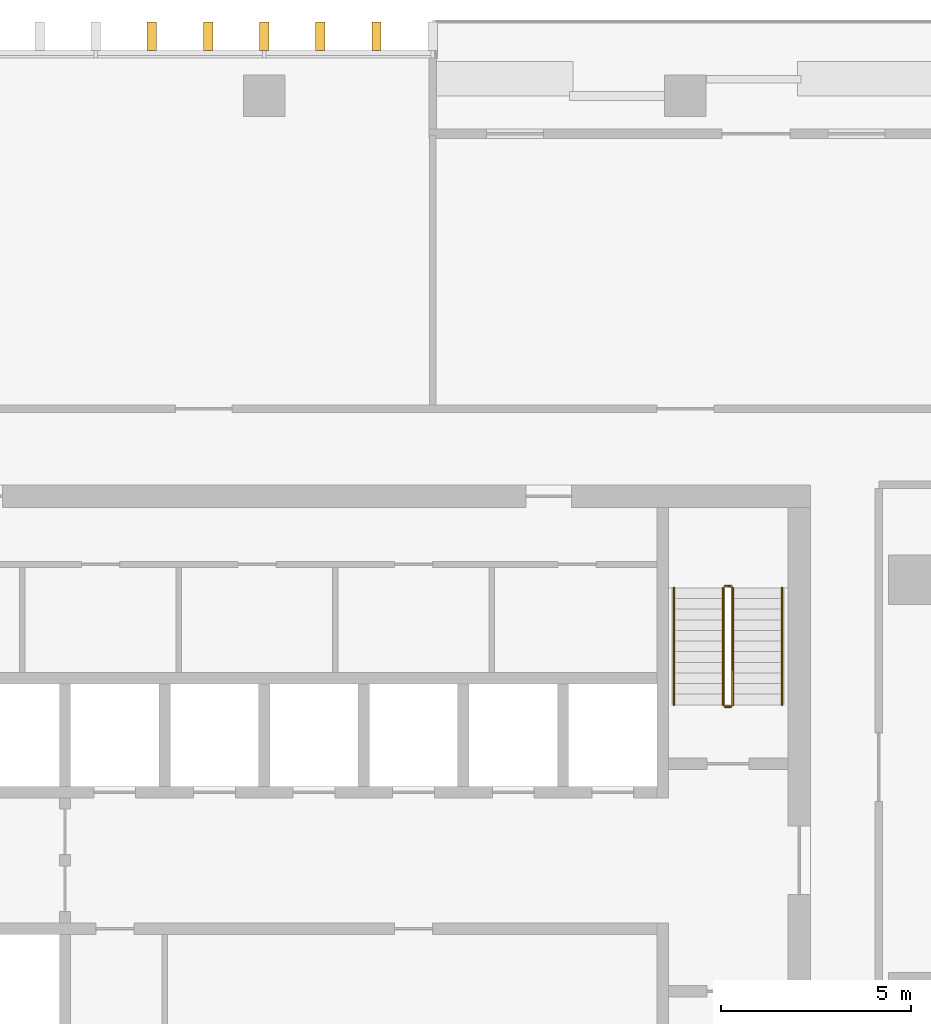
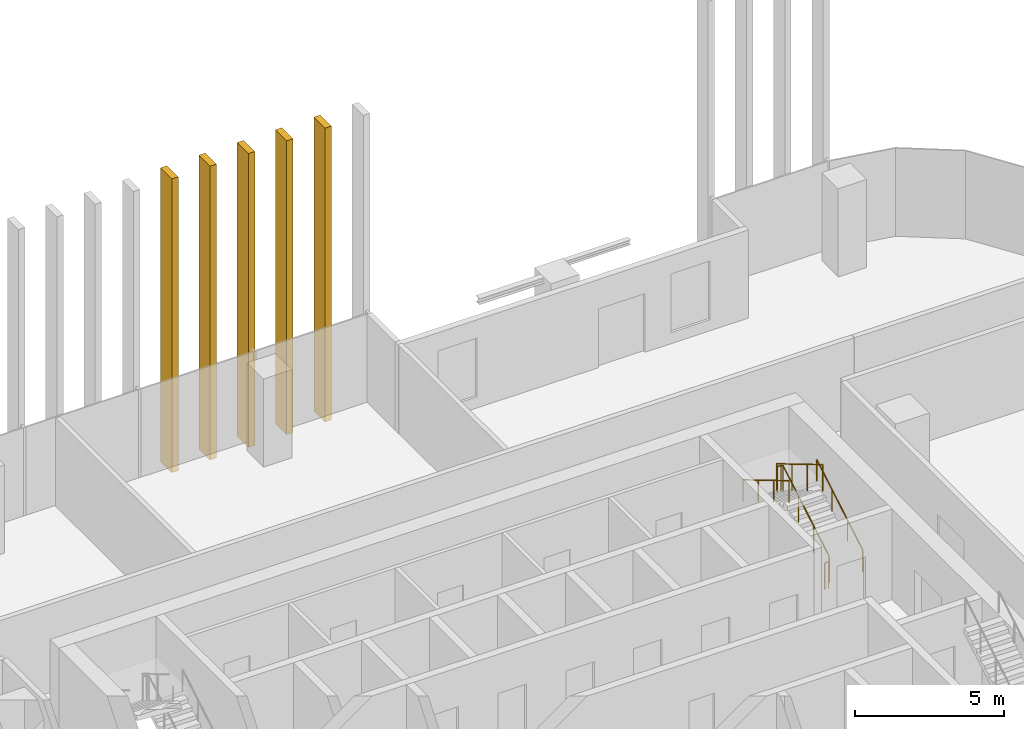
# One storey, part 15 of 16: 5 railings, 5 shading devices.
"""IFC4 building model written with IfcOpenShell, lengths in metres."""

import ifcopenshell
import ifcopenshell.guid

model = None  # the IFC model being written
_history = None  # IfcOwnerHistory: only IFC2X3 demands one
_inside = {}  # id of a spatial element -> (the spatial element, [elements in it])
_under = {}  # id of a project, library or spatial element -> (it, [spatial elements below it])
_declared = {}  # id of a project -> (the project, [libraries it declares])
_typed = {}  # id of a type object -> (the type object, [elements of that type])
_made_of = {}  # id of a material, layer set ... -> (it, [elements and type objects made of it])


def new_model(schema):
    """Start an empty IFC model of exactly this schema.

    Asked for "IFC4X3", IfcOpenShell would pick the latest addendum, in which some entities
    have other attributes; the version numbers below select the first issue.
    IFC2X3 requires an IfcOwnerHistory on every rooted entity: one is made here for all.
    """
    global model, _history
    if schema == "IFC4X3":
        model = ifcopenshell.file(schema_version=(4, 3, 0, 0))
    else:
        model = ifcopenshell.file(schema=schema)
    _inside.clear()
    _under.clear()
    _declared.clear()
    _typed.clear()
    _made_of.clear()
    _history = None
    if model.schema == "IFC2X3":
        org = make("IfcOrganization", Name="unknown")
        user = make(
            "IfcPersonAndOrganization",
            ThePerson=make("IfcPerson", FamilyName="unknown"),
            TheOrganization=org,
        )
        app = make(
            "IfcApplication",
            ApplicationDeveloper=org,
            Version="unknown",
            ApplicationFullName="unknown",
            ApplicationIdentifier="unknown",
        )
        _history = make(
            "IfcOwnerHistory",
            OwningUser=user,
            OwningApplication=app,
            ChangeAction="ADDED",
            CreationDate=0,
        )
    return model


def make(cls, **values):
    """One entity of the class cls with the attributes given. An attribute that is None is left unset."""
    return model.create_entity(
        cls, **{name: value for name, value in values.items() if value is not None}
    )


def rooted(cls, **values):
    """An entity with a GlobalId (a new one), such as an element, a storey or a relation."""
    return make(cls, GlobalId=ifcopenshell.guid.new(), OwnerHistory=_history, **values)


def si_unit(unit_type, name, prefix=None):
    """IfcSIUnit, for example si_unit("LENGTHUNIT", "METRE", prefix="MILLI")."""
    return make("IfcSIUnit", UnitType=unit_type, Prefix=prefix, Name=name)


def assignment(units):
    """IfcUnitAssignment: the units of a project."""
    return None if units is None else make("IfcUnitAssignment", Units=units)


def point(xyz):
    """IfcCartesianPoint."""
    return None if xyz is None else make("IfcCartesianPoint", Coordinates=xyz)


def direction(xyz):
    """IfcDirection."""
    return None if xyz is None else make("IfcDirection", DirectionRatios=xyz)


def frame(location, z_axis=None, x_axis=None):
    """IfcAxis2Placement3D, a coordinate frame: its origin and axes. An axis left out is left unset."""
    return make(
        "IfcAxis2Placement3D",
        Location=point(location),
        Axis=direction(z_axis),
        RefDirection=direction(x_axis),
    )


def frame_2d(location, x_axis=None):
    """IfcAxis2Placement2D, a coordinate frame in the plane: its origin and x axis."""
    return make(
        "IfcAxis2Placement2D", Location=point(location), RefDirection=direction(x_axis)
    )


def origin():
    """The frame at (0, 0, 0) with its axes left unset."""
    return frame((0.0, 0.0, 0.0))


def origin_2d():
    """The frame at (0, 0) in the plane with its x axis left unset."""
    return frame_2d((0.0, 0.0))


def place(relative_to, where):
    """IfcLocalPlacement: puts the frame where relative to a parent placement (None: the world)."""
    return make(
        "IfcLocalPlacement", PlacementRelTo=relative_to, RelativePlacement=where
    )


def context(
    kind, dimensions, precision=None, world=None, true_north=None, identifier=None
):
    """IfcGeometricRepresentationContext, for example the 3D "Model" context."""
    return make(
        "IfcGeometricRepresentationContext",
        ContextIdentifier=identifier,
        ContextType=kind,
        CoordinateSpaceDimension=dimensions,
        Precision=precision,
        WorldCoordinateSystem=world,
        TrueNorth=true_north,
    )


def subcontext(parent, identifier, kind, view, scale=None):
    """IfcGeometricRepresentationSubContext, for example "Body" below "Model"."""
    return make(
        "IfcGeometricRepresentationSubContext",
        ContextIdentifier=identifier,
        ContextType=kind,
        ParentContext=parent,
        TargetScale=scale,
        TargetView=view,
    )


def project(units=None, contexts=None):
    """IfcProject with its units and contexts."""
    return rooted(
        "IfcProject",
        Name="project",
        RepresentationContexts=contexts,
        UnitsInContext=assignment(units),
    )


def spatial(cls, under=None, at=None, **own):
    """A site, building, storey or space (cls), placed at a placement, below another one or the project."""
    s = rooted(cls, ObjectPlacement=at, **own)
    if under is not None:
        _under.setdefault(under.id(), (under, []))[1].append(s)
    return s


def profile(cls, at=None, kind="AREA", **sizes):
    """A parametric profile (cls). Its sizes go by their IFC names, for example OverallWidth=200.0."""
    return make(cls, ProfileType=kind, Position=at, **sizes)


def rectangle(**sizes):
    """IfcRectangleProfileDef."""
    return profile("IfcRectangleProfileDef", **sizes)


def circle(**sizes):
    """IfcCircleProfileDef."""
    return profile("IfcCircleProfileDef", **sizes)


def extrude(swept, where, along, depth):
    """IfcExtrudedAreaSolid: the profile swept, set in the frame where, extruded along a direction by depth."""
    return make(
        "IfcExtrudedAreaSolid",
        SweptArea=swept,
        Position=where,
        ExtrudedDirection=direction(along),
        Depth=depth,
    )


def shape(context_of_items, identifier, shape_type, items):
    """IfcShapeRepresentation: the items that make up one representation, for example the "Body"."""
    return make(
        "IfcShapeRepresentation",
        ContextOfItems=context_of_items,
        RepresentationIdentifier=identifier,
        RepresentationType=shape_type,
        Items=items,
    )


def material(Name=None, Category=None):
    """IfcMaterial."""
    return make("IfcMaterial", Name=Name, Category=Category)


def made_of(thing, what):
    """Note that an element or type object is made of a material, layer set ...; save() writes the relation."""
    if what is not None:
        _made_of.setdefault(what.id(), (what, []))[1].append(thing)
    return thing


def type_object(cls, material=None, **own):
    """A type object (cls), such as IfcWallType, which elements share."""
    return made_of(rooted(cls, **own), material)


def element(
    cls,
    number,
    at=None,
    inside=None,
    cuts=None,
    type_object=None,
    material=None,
    context=None,
    identifier="Body",
    shape_type=None,
    held_by="IfcProductDefinitionShape",
    body=None,
    shapes=None,
    **own,
):
    """One element of the class cls, such as IfcWall. Its Tag is "e" and its number.

    at: its placement. inside: the storey or other place that contains it. cuts: it is an
    opening in that element (IfcRelVoidsElement). A single representation is given by context,
    identifier, shape_type and body (its items); several are given by shapes. held_by: the class
    of the entity that holds the representations. save() writes the other relations.
    """
    e = rooted(cls, Tag="e%d" % number, ObjectPlacement=at, **own)
    if body is not None:
        shapes = [shape(context, identifier, shape_type, body)]
    if shapes is not None:
        e.Representation = make(held_by, Representations=shapes)
    if inside is not None:
        _inside.setdefault(inside.id(), (inside, []))[1].append(e)
    if cuts is not None:
        rooted(
            "IfcRelVoidsElement", RelatingBuildingElement=cuts, RelatedOpeningElement=e
        )
    if type_object is not None:
        _typed.setdefault(type_object.id(), (type_object, []))[1].append(e)
    return made_of(e, material)


def aggregate(whole, parts):
    """IfcRelAggregates: a whole, such as a stair, and the parts it consists of."""
    return rooted("IfcRelAggregates", RelatingObject=whole, RelatedObjects=parts)


def save(model, path):
    """Write the relations noted so far, then the file.

    IfcRelAggregates (storeys below a building ...), IfcRelContainedInSpatialStructure (elements
    in a storey), IfcRelDefinesByType, IfcRelAssociatesMaterial and IfcRelDeclares: one each for
    every whole, place, type object, material and project.
    """
    for whole, parts in _under.values():
        aggregate(whole, parts)
    for where, things in _inside.values():
        rooted(
            "IfcRelContainedInSpatialStructure",
            RelatedElements=things,
            RelatingStructure=where,
        )
    for kind, things in _typed.values():
        rooted("IfcRelDefinesByType", RelatedObjects=things, RelatingType=kind)
    for what, things in _made_of.values():
        rooted("IfcRelAssociatesMaterial", RelatedObjects=things, RelatingMaterial=what)
    for by, libraries in _declared.values():
        rooted("IfcRelDeclares", RelatingContext=by, RelatedDefinitions=libraries)
    model.write(path)


model = new_model("IFC4")

# Units and contexts
model_context = context("Model", 3, precision=1e-05, world=origin(), true_north=direction((0.0, 1.0)))
body_context = subcontext(model_context, "Body", "Model", "MODEL_VIEW")
ifc_project = project(units=[si_unit("LENGTHUNIT", "METRE"), si_unit("AREAUNIT", "SQUARE_METRE"), si_unit("VOLUMEUNIT", "CUBIC_METRE"), si_unit("PLANEANGLEUNIT", "RADIAN"), si_unit("MASSUNIT", "GRAM", prefix="KILO")], contexts=[model_context])

# Site, building, storey
site_placement = place(None, origin())
site = spatial("IfcSite", under=ifc_project, at=site_placement, CompositionType="ELEMENT")
building_placement = place(site_placement, origin())
building = spatial("IfcBuilding", under=site, at=building_placement, Name="Mopane Tessera Tower", CompositionType="ELEMENT")
storey_placement = place(building_placement, frame((0.0, 0.0, 235.0)))
storey = spatial("IfcBuildingStorey", under=building, at=storey_placement, Name="L50", CompositionType="ELEMENT", Elevation=235.0)

# Shading devices
ifc_material_1 = material(Name="Glazed ceramic tile")
shading_device_type = type_object("IfcShadingDeviceType", Name="Ceramic tile fin 750 x 250 mm", PredefinedType="USERDEFINED", material=ifc_material_1)
for number, where, z_axis, x_axis, name in (
    (1, (2.9599609375, 25.324951171875, -0.39990234375), (0.0, 0.0, 1.0), (-1.0, 0.0, 0.0), "e:fin:L50:N:4:1"),
    (2, (1.47998046875, 25.324951171875, -0.39990234375), (0.0, 0.0, 1.0), (-1.0, 0.0, 0.0), "e:fin:L50:N:4:2"),
    (3, (0.0, 25.324951171875, -0.39990234375), (0.0, 0.0, 1.0), (-1.0, 0.0, 0.0), "e:fin:L50:N:5:0"),
    (4, (-1.47998046875, 25.324951171875, -0.39990234375), (0.0, 0.0, 1.0), (-1.0, 0.0, 0.0), "e:fin:L50:N:5:1"),
    (5, (-2.9599609375, 25.324951171875, -0.39990234375), (0.0, 0.0, 1.0), (-1.0, 0.0, 0.0), "e:fin:L50:N:5:2"),
):
    element("IfcShadingDevice", number, at=place(storey_placement, frame(where, z_axis=z_axis, x_axis=x_axis)), inside=storey, type_object=shading_device_type, Name=name, ObjectType="FIN", PredefinedType="USERDEFINED", context=body_context, shape_type="SweptSolid", body=[
        extrude(rectangle(XDim=0.25, YDim=0.75, at=origin_2d()), origin(), (0.0, 0.0, 1.0), 12.0),
    ])

# Railings
ifc_material_2 = material(Name="Powder-coated steel balustrade", Category="steel")
railing_type_1 = type_object("IfcRailingType", Name="Escape stair guard 1100 mm", PredefinedType="GUARDRAIL", material=ifc_material_2)
railing_1_placement = place(storey_placement, frame((12.35009765625, 7.699951171875, 0.166748046875)))
element("IfcRailing", 6, at=railing_1_placement, inside=storey, type_object=railing_type_1, Name="L50 ST4 stair guard 1", PredefinedType="GUARDRAIL", context=body_context, shape_type="SweptSolid", body=[
    extrude(circle(Radius=0.02392578125, at=origin_2d()), frame((0.0, 0.0, 1.076171875), z_axis=(0.0, 0.859308565015, 0.511457515432), x_axis=(-1.0, 0.0, 0.0)), (0.0, 0.0, 1.0), 3.58447265625),
    extrude(circle(Radius=0.02392578125, at=origin_2d()), frame((0.0, 3.080078125, 2.9091796875), z_axis=(-0.707106781187, 0.707106781187, 0.0), x_axis=(-0.707106781187, -0.707106781187, 0.0)), (0.0, 0.0, 1.0), 0.07080078125),
    extrude(circle(Radius=0.02392578125, at=origin_2d()), frame((-0.050048828125, 3.130126953125, 2.9091796875), z_axis=(-1.0, 0.0, 0.0), x_axis=(0.0, -1.0, 0.0)), (0.0, 0.0, 1.0), 0.150146484375),
    extrude(circle(Radius=0.02099609375, at=origin_2d()), origin(), (0.0, 0.0, 1.0), 1.052001953125),
    extrude(circle(Radius=0.02099609375, at=origin_2d()), frame((0.0, 1.026611328125, 0.611083984375)), (0.0, 0.0, 1.0), 1.052001953125),
    extrude(circle(Radius=0.02099609375, at=origin_2d()), frame((0.0, 2.053466796875, 1.22216796875)), (0.0, 0.0, 1.0), 1.052001953125),
    extrude(circle(Radius=0.02099609375, at=origin_2d()), frame((0.0, 3.080078125, 1.833251953125)), (0.0, 0.0, 1.0), 1.052001953125),
    extrude(circle(Radius=0.02099609375, at=origin_2d()), frame((-0.050048828125, 3.130126953125, 1.833251953125)), (0.0, 0.0, 1.0), 1.052001953125),
    extrude(circle(Radius=0.02099609375, at=origin_2d()), frame((-0.2001953125, 3.130126953125, 1.833251953125)), (0.0, 0.0, 1.0), 1.052001953125),
])
railing_2_placement = place(storey_placement, frame((12.10009765625, 10.780029296875, 2.166748046875)))
element("IfcRailing", 7, at=railing_2_placement, inside=storey, type_object=railing_type_1, Name="L50 ST4 stair guard 2", PredefinedType="GUARDRAIL", context=body_context, shape_type="SweptSolid", body=[
    extrude(circle(Radius=0.02392578125, at=origin_2d()), frame((0.0, 0.0, 1.076171875), z_axis=(0.0, -0.859308565015, 0.511457515432), x_axis=(1.0, 0.0, 0.0)), (0.0, 0.0, 1.0), 3.58447265625),
    extrude(circle(Radius=0.02099609375, at=origin_2d()), origin(), (0.0, 0.0, 1.0), 1.052001953125),
    extrude(circle(Radius=0.02099609375, at=origin_2d()), frame((0.0, -1.026611328125, 0.611083984375)), (0.0, 0.0, 1.0), 1.052001953125),
    extrude(circle(Radius=0.02099609375, at=origin_2d()), frame((0.0, -2.053466796875, 1.22216796875)), (0.0, 0.0, 1.0), 1.052001953125),
    extrude(circle(Radius=0.02099609375, at=origin_2d()), frame((0.0, -3.080078125, 1.833251953125)), (0.0, 0.0, 1.0), 1.052001953125),
])
railing_3_placement = place(storey_placement, frame((12.300048828125, 7.64990234375, 0.0)))
element("IfcRailing", 8, at=railing_3_placement, inside=storey, type_object=railing_type_1, Name="L50 ST4 stair guard 3", PredefinedType="GUARDRAIL", context=body_context, shape_type="SweptSolid", body=[
    extrude(circle(Radius=0.02392578125, at=origin_2d()), frame((0.0, 0.0, 1.076171875), z_axis=(-1.0, 0.0, 0.0), x_axis=(0.0, -1.0, 0.0)), (0.0, 0.0, 1.0), 0.150146484375),
    extrude(circle(Radius=0.02099609375, at=origin_2d()), origin(), (0.0, 0.0, 1.0), 1.052001953125),
    extrude(circle(Radius=0.02099609375, at=origin_2d()), frame((-0.150146484375, 0.0, 0.0)), (0.0, 0.0, 1.0), 1.052001953125),
])
ifc_material_3 = material(Name="Powder-coated steel balustrade", Category="steel")
railing_type_2 = type_object("IfcRailingType", Name="Escape stair handrail 900 mm", PredefinedType="HANDRAIL", material=ifc_material_3)
railing_4_placement = place(storey_placement, frame((13.64990234375, 7.699951171875, 0.166748046875)))
element("IfcRailing", 9, at=railing_4_placement, inside=storey, type_object=railing_type_2, Name="L50 ST4 stair handrail 1", PredefinedType="HANDRAIL", context=body_context, shape_type="SweptSolid", body=[
    extrude(circle(Radius=0.02392578125, at=origin_2d()), frame((0.0, 0.0, 0.8759765625), z_axis=(0.0, 0.859308565015, 0.511457515432), x_axis=(-1.0, 0.0, 0.0)), (0.0, 0.0, 1.0), 3.58447265625),
    extrude(circle(Radius=0.02099609375, at=origin_2d()), origin(), (0.0, 0.0, 1.0), 0.851806640625),
    extrude(circle(Radius=0.02099609375, at=origin_2d()), frame((0.0, 1.026611328125, 0.611083984375)), (0.0, 0.0, 1.0), 0.851806640625),
    extrude(circle(Radius=0.02099609375, at=origin_2d()), frame((0.0, 2.053466796875, 1.22216796875)), (0.0, 0.0, 1.0), 0.851806640625),
    extrude(circle(Radius=0.02099609375, at=origin_2d()), frame((0.0, 3.080078125, 1.833251953125)), (0.0, 0.0, 1.0), 0.851806640625),
])
railing_5_placement = place(storey_placement, frame((10.800048828125, 10.780029296875, 2.166748046875)))
element("IfcRailing", 10, at=railing_5_placement, inside=storey, type_object=railing_type_2, Name="L50 ST4 stair handrail 2", PredefinedType="HANDRAIL", context=body_context, shape_type="SweptSolid", body=[
    extrude(circle(Radius=0.02392578125, at=origin_2d()), frame((0.0, 0.0, 0.8759765625), z_axis=(0.0, -0.859308565015, 0.511457515432), x_axis=(1.0, 0.0, 0.0)), (0.0, 0.0, 1.0), 3.58447265625),
    extrude(circle(Radius=0.02099609375, at=origin_2d()), origin(), (0.0, 0.0, 1.0), 0.851806640625),
    extrude(circle(Radius=0.02099609375, at=origin_2d()), frame((0.0, -1.026611328125, 0.611083984375)), (0.0, 0.0, 1.0), 0.851806640625),
    extrude(circle(Radius=0.02099609375, at=origin_2d()), frame((0.0, -2.053466796875, 1.22216796875)), (0.0, 0.0, 1.0), 0.851806640625),
    extrude(circle(Radius=0.02099609375, at=origin_2d()), frame((0.0, -3.080078125, 1.833251953125)), (0.0, 0.0, 1.0), 0.851806640625),
])

save(model, "model.ifc")
